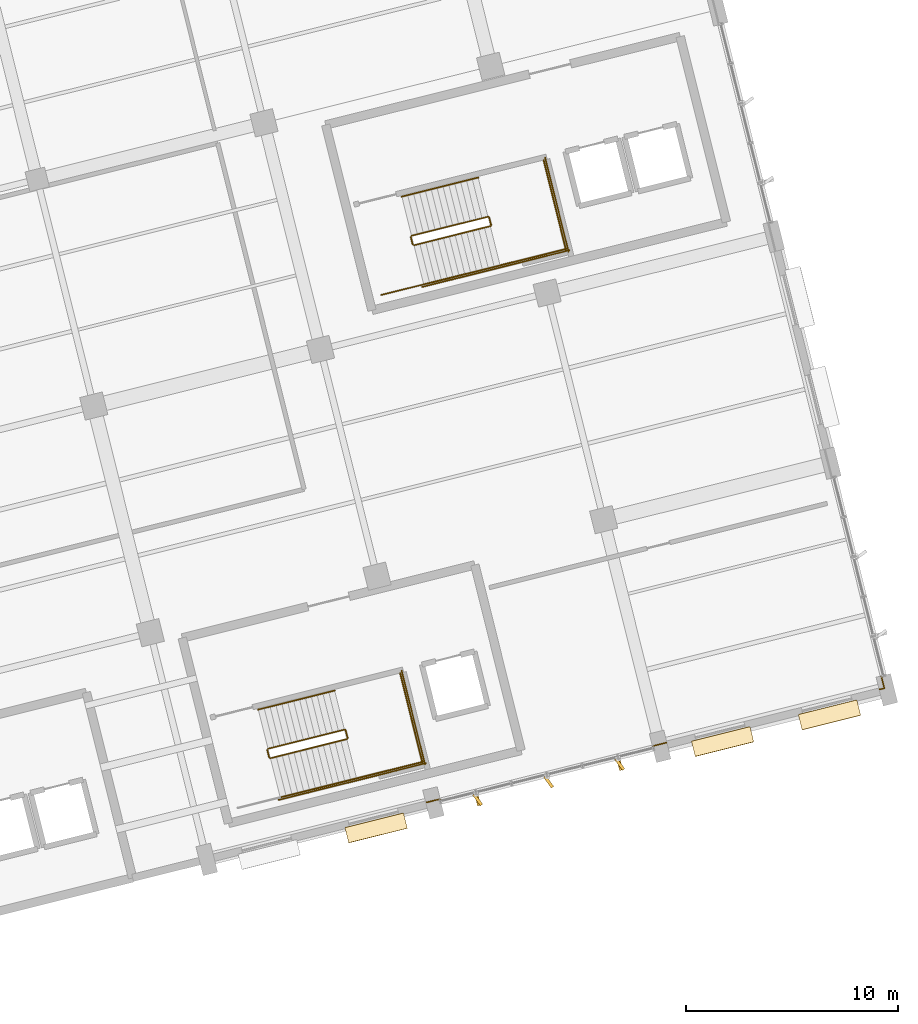
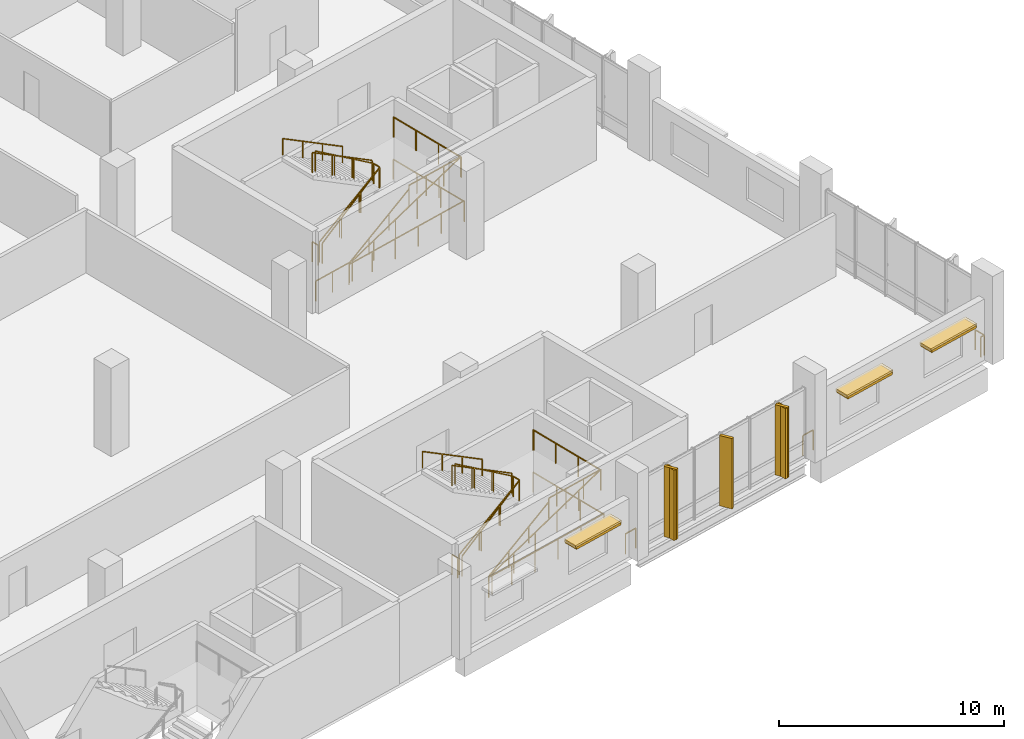
# One storey, part 134 of 137: 28 railings, 6 shading devices, 5 coverings.
"""IFC4 building model written with IfcOpenShell, lengths in metres."""

import ifcopenshell
import ifcopenshell.guid

model = None  # the IFC model being written
_history = None  # IfcOwnerHistory: only IFC2X3 demands one
_inside = {}  # id of a spatial element -> (the spatial element, [elements in it])
_under = {}  # id of a project, library or spatial element -> (it, [spatial elements below it])
_declared = {}  # id of a project -> (the project, [libraries it declares])
_typed = {}  # id of a type object -> (the type object, [elements of that type])
_made_of = {}  # id of a material, layer set ... -> (it, [elements and type objects made of it])


def new_model(schema):
    """Start an empty IFC model of exactly this schema.

    Asked for "IFC4X3", IfcOpenShell would pick the latest addendum, in which some entities
    have other attributes; the version numbers below select the first issue.
    IFC2X3 requires an IfcOwnerHistory on every rooted entity: one is made here for all.
    """
    global model, _history
    if schema == "IFC4X3":
        model = ifcopenshell.file(schema_version=(4, 3, 0, 0))
    else:
        model = ifcopenshell.file(schema=schema)
    _inside.clear()
    _under.clear()
    _declared.clear()
    _typed.clear()
    _made_of.clear()
    _history = None
    if model.schema == "IFC2X3":
        org = make("IfcOrganization", Name="unknown")
        user = make(
            "IfcPersonAndOrganization",
            ThePerson=make("IfcPerson", FamilyName="unknown"),
            TheOrganization=org,
        )
        app = make(
            "IfcApplication",
            ApplicationDeveloper=org,
            Version="unknown",
            ApplicationFullName="unknown",
            ApplicationIdentifier="unknown",
        )
        _history = make(
            "IfcOwnerHistory",
            OwningUser=user,
            OwningApplication=app,
            ChangeAction="ADDED",
            CreationDate=0,
        )
    return model


def make(cls, **values):
    """One entity of the class cls with the attributes given. An attribute that is None is left unset."""
    return model.create_entity(
        cls, **{name: value for name, value in values.items() if value is not None}
    )


def rooted(cls, **values):
    """An entity with a GlobalId (a new one), such as an element, a storey or a relation."""
    return make(cls, GlobalId=ifcopenshell.guid.new(), OwnerHistory=_history, **values)


def si_unit(unit_type, name, prefix=None):
    """IfcSIUnit, for example si_unit("LENGTHUNIT", "METRE", prefix="MILLI")."""
    return make("IfcSIUnit", UnitType=unit_type, Prefix=prefix, Name=name)


def assignment(units):
    """IfcUnitAssignment: the units of a project."""
    return None if units is None else make("IfcUnitAssignment", Units=units)


def point(xyz):
    """IfcCartesianPoint."""
    return None if xyz is None else make("IfcCartesianPoint", Coordinates=xyz)


def direction(xyz):
    """IfcDirection."""
    return None if xyz is None else make("IfcDirection", DirectionRatios=xyz)


def frame(location, z_axis=None, x_axis=None):
    """IfcAxis2Placement3D, a coordinate frame: its origin and axes. An axis left out is left unset."""
    return make(
        "IfcAxis2Placement3D",
        Location=point(location),
        Axis=direction(z_axis),
        RefDirection=direction(x_axis),
    )


def frame_2d(location, x_axis=None):
    """IfcAxis2Placement2D, a coordinate frame in the plane: its origin and x axis."""
    return make(
        "IfcAxis2Placement2D", Location=point(location), RefDirection=direction(x_axis)
    )


def origin():
    """The frame at (0, 0, 0) with its axes left unset."""
    return frame((0.0, 0.0, 0.0))


def origin_2d():
    """The frame at (0, 0) in the plane with its x axis left unset."""
    return frame_2d((0.0, 0.0))


def place(relative_to, where):
    """IfcLocalPlacement: puts the frame where relative to a parent placement (None: the world)."""
    return make(
        "IfcLocalPlacement", PlacementRelTo=relative_to, RelativePlacement=where
    )


def context(
    kind, dimensions, precision=None, world=None, true_north=None, identifier=None
):
    """IfcGeometricRepresentationContext, for example the 3D "Model" context."""
    return make(
        "IfcGeometricRepresentationContext",
        ContextIdentifier=identifier,
        ContextType=kind,
        CoordinateSpaceDimension=dimensions,
        Precision=precision,
        WorldCoordinateSystem=world,
        TrueNorth=true_north,
    )


def subcontext(parent, identifier, kind, view, scale=None):
    """IfcGeometricRepresentationSubContext, for example "Body" below "Model"."""
    return make(
        "IfcGeometricRepresentationSubContext",
        ContextIdentifier=identifier,
        ContextType=kind,
        ParentContext=parent,
        TargetScale=scale,
        TargetView=view,
    )


def project(units=None, contexts=None):
    """IfcProject with its units and contexts."""
    return rooted(
        "IfcProject",
        Name="project",
        RepresentationContexts=contexts,
        UnitsInContext=assignment(units),
    )


def spatial(cls, under=None, at=None, **own):
    """A site, building, storey or space (cls), placed at a placement, below another one or the project."""
    s = rooted(cls, ObjectPlacement=at, **own)
    if under is not None:
        _under.setdefault(under.id(), (under, []))[1].append(s)
    return s


def profile(cls, at=None, kind="AREA", **sizes):
    """A parametric profile (cls). Its sizes go by their IFC names, for example OverallWidth=200.0."""
    return make(cls, ProfileType=kind, Position=at, **sizes)


def rectangle(**sizes):
    """IfcRectangleProfileDef."""
    return profile("IfcRectangleProfileDef", **sizes)


def extrude(swept, where, along, depth):
    """IfcExtrudedAreaSolid: the profile swept, set in the frame where, extruded along a direction by depth."""
    return make(
        "IfcExtrudedAreaSolid",
        SweptArea=swept,
        Position=where,
        ExtrudedDirection=direction(along),
        Depth=depth,
    )


def shape(context_of_items, identifier, shape_type, items):
    """IfcShapeRepresentation: the items that make up one representation, for example the "Body"."""
    return make(
        "IfcShapeRepresentation",
        ContextOfItems=context_of_items,
        RepresentationIdentifier=identifier,
        RepresentationType=shape_type,
        Items=items,
    )


def material(Name=None, Category=None):
    """IfcMaterial."""
    return make("IfcMaterial", Name=Name, Category=Category)


def layer(
    of_material, thickness, ventilated=None, Name=None, Category=None, Priority=None
):
    """IfcMaterialLayer: one layer of a wall or slab, of a material (None: an air gap)."""
    return make(
        "IfcMaterialLayer",
        Material=of_material,
        LayerThickness=thickness,
        IsVentilated=ventilated,
        Name=Name,
        Category=Category,
        Priority=Priority,
    )


def layer_set(layers, Name=None):
    """IfcMaterialLayerSet."""
    return make("IfcMaterialLayerSet", MaterialLayers=layers, LayerSetName=Name)


def made_of(thing, what):
    """Note that an element or type object is made of a material, layer set ...; save() writes the relation."""
    if what is not None:
        _made_of.setdefault(what.id(), (what, []))[1].append(thing)
    return thing


def type_object(cls, material=None, **own):
    """A type object (cls), such as IfcWallType, which elements share."""
    return made_of(rooted(cls, **own), material)


def element(
    cls,
    number,
    at=None,
    inside=None,
    cuts=None,
    type_object=None,
    material=None,
    context=None,
    identifier="Body",
    shape_type=None,
    held_by="IfcProductDefinitionShape",
    body=None,
    shapes=None,
    **own,
):
    """One element of the class cls, such as IfcWall. Its Tag is "e" and its number.

    at: its placement. inside: the storey or other place that contains it. cuts: it is an
    opening in that element (IfcRelVoidsElement). A single representation is given by context,
    identifier, shape_type and body (its items); several are given by shapes. held_by: the class
    of the entity that holds the representations. save() writes the other relations.
    """
    e = rooted(cls, Tag="e%d" % number, ObjectPlacement=at, **own)
    if body is not None:
        shapes = [shape(context, identifier, shape_type, body)]
    if shapes is not None:
        e.Representation = make(held_by, Representations=shapes)
    if inside is not None:
        _inside.setdefault(inside.id(), (inside, []))[1].append(e)
    if cuts is not None:
        rooted(
            "IfcRelVoidsElement", RelatingBuildingElement=cuts, RelatedOpeningElement=e
        )
    if type_object is not None:
        _typed.setdefault(type_object.id(), (type_object, []))[1].append(e)
    return made_of(e, material)


def aggregate(whole, parts):
    """IfcRelAggregates: a whole, such as a stair, and the parts it consists of."""
    return rooted("IfcRelAggregates", RelatingObject=whole, RelatedObjects=parts)


def save(model, path):
    """Write the relations noted so far, then the file.

    IfcRelAggregates (storeys below a building ...), IfcRelContainedInSpatialStructure (elements
    in a storey), IfcRelDefinesByType, IfcRelAssociatesMaterial and IfcRelDeclares: one each for
    every whole, place, type object, material and project.
    """
    for whole, parts in _under.values():
        aggregate(whole, parts)
    for where, things in _inside.values():
        rooted(
            "IfcRelContainedInSpatialStructure",
            RelatedElements=things,
            RelatingStructure=where,
        )
    for kind, things in _typed.values():
        rooted("IfcRelDefinesByType", RelatedObjects=things, RelatingType=kind)
    for what, things in _made_of.values():
        rooted("IfcRelAssociatesMaterial", RelatedObjects=things, RelatingMaterial=what)
    for by, libraries in _declared.values():
        rooted("IfcRelDeclares", RelatingContext=by, RelatedDefinitions=libraries)
    model.write(path)


model = new_model("IFC4")

# Units and contexts
model_context = context("Model", 3, precision=1e-05, world=origin(), true_north=direction((0.0, 1.0)))
body_context = subcontext(model_context, "Body", "Model", "MODEL_VIEW")
ifc_project = project(units=[si_unit("LENGTHUNIT", "METRE"), si_unit("AREAUNIT", "SQUARE_METRE"), si_unit("VOLUMEUNIT", "CUBIC_METRE"), si_unit("PLANEANGLEUNIT", "RADIAN"), si_unit("MASSUNIT", "GRAM", prefix="KILO")], contexts=[model_context])

# Site, building, storey
site_placement = place(None, origin())
site = spatial("IfcSite", under=ifc_project, at=site_placement, CompositionType="ELEMENT")
building_placement = place(site_placement, origin())
building = spatial("IfcBuilding", under=site, at=building_placement, Name="Khorjan Park Terminus", CompositionType="ELEMENT")
storey_placement = place(building_placement, frame((0.0, 0.0, 11.4)))
storey = spatial("IfcBuildingStorey", under=building, at=storey_placement, Name="L02", CompositionType="ELEMENT", Elevation=11.4)

# Coverings
ifc_material_1 = material(Name="Pigmented Precast GRC", Category="concrete")
ifc_layer_1 = layer(ifc_material_1, 0.16)
ifc_layer_set_1 = layer_set([ifc_layer_1], Name="Pigmented Precast GRC")
covering_type_1 = type_object("IfcCoveringType", Name="CV-FIN-GRC", PredefinedType="CLADDING", material=ifc_layer_set_1)
for number, where, z_axis, x_axis, name in (
    (1, (210.7713, 12.7969, -0.02), (0.0, 0.0, 1.0), (-0.2419218956, 0.970295726276, 0.0), "Projecting desert-sandstone GRC facade fin CL-FN1 (CW-V5-S-L02-B05-1)"),
    (2, (217.4597, 14.4644, -0.02), (0.0, 0.0, 1.0), (-0.2419218956, 0.970295726276, 0.0), "Projecting desert-sandstone GRC facade fin CL-FN1 (CW-V5-S-L02-B05-5)"),
):
    element("IfcCovering", number, at=place(storey_placement, frame(where, z_axis=z_axis, x_axis=x_axis)), inside=storey, type_object=covering_type_1, Name=name, PredefinedType="CLADDING", context=body_context, shape_type="SweptSolid", body=[
        extrude(rectangle(XDim=0.58, YDim=0.16, at=origin_2d()), origin(), (0.0, 0.0, 1.0), 3.825),
    ])
ifc_layer_2 = layer(ifc_material_1, 0.18)
ifc_layer_set_2 = layer_set([ifc_layer_2], Name="Pigmented Precast GRC")
covering_type_2 = type_object("IfcCoveringType", Name="CV-HOOD-GRC", PredefinedType="CLADDING", material=ifc_layer_set_2)
for number, where, z_axis, x_axis, name in (
    (3, (205.9905, 11.4658, 2.73), (0.0, 0.0, 1.0), (0.970293766672, 0.241929755007, 0.0), "Projecting desert-sandstone GRC window eyebrow CL-HD1 (EW-V5-S-L02-B04-2)"),
    (4, (222.3059, 15.5337, 2.73), (0.0, 0.0, 1.0), (0.970298281519, 0.241911646849, 0.0), "Projecting desert-sandstone GRC window eyebrow CL-HD1 (EW-V5-S-L02-B06-1)"),
    (5, (227.3372, 16.788, 2.73), (0.0, 0.0, 1.0), (0.970298281519, 0.241911646849, 0.0), "Projecting desert-sandstone GRC window eyebrow CL-HD1 (EW-V5-S-L02-B06-2)"),
):
    element("IfcCovering", number, at=place(storey_placement, frame(where, z_axis=z_axis, x_axis=x_axis)), inside=storey, type_object=covering_type_2, Name=name, PredefinedType="CLADDING", context=body_context, shape_type="SweptSolid", body=[
        extrude(rectangle(XDim=2.84, YDim=0.74, at=origin_2d()), origin(), (0.0, 0.0, 1.0), 0.16),
    ])

# Railings
ifc_material_2 = material(Name="Steel S355", Category="steel")
railing_type_1 = type_object("IfcRailingType", Name="GR-112", PredefinedType="GUARDRAIL", material=ifc_material_2)
railing_1_placement = place(storey_placement, frame((207.7735, 38.902, 0.1714)))
element("IfcRailing", 6, at=railing_1_placement, inside=storey, type_object=railing_type_1, Name="L02 ST-04 stair guard 1", PredefinedType="GUARDRAIL", context=body_context, shape_type="SweptSolid", body=[
    extrude(rectangle(XDim=0.048, YDim=0.048, at=origin_2d()), frame((0.0, 0.0, 1.096), z_axis=(0.831460339985, 0.207327338386, 0.515450364041), x_axis=(-0.241944959275, 0.970289975565, 0.0)), (0.0, 0.0, 1.0), 4.3236),
    extrude(rectangle(XDim=0.042, YDim=0.042, at=origin_2d()), origin(), (0.0, 0.0, 1.0), 1.072),
    extrude(rectangle(XDim=0.042, YDim=0.042, at=origin_2d()), frame((1.1983, 0.2988, 0.7429)), (0.0, 0.0, 1.0), 1.072),
    extrude(rectangle(XDim=0.042, YDim=0.042, at=origin_2d()), frame((2.3966, 0.5976, 1.4857)), (0.0, 0.0, 1.0), 1.072),
    extrude(rectangle(XDim=0.042, YDim=0.042, at=origin_2d()), frame((3.5949, 0.8964, 2.2286)), (0.0, 0.0, 1.0), 1.072),
])
railing_2_placement = place(storey_placement, frame((211.4048, 39.859, 2.4)))
element("IfcRailing", 7, at=railing_2_placement, inside=storey, type_object=railing_type_1, Name="L02 ST-04 stair guard 2", PredefinedType="GUARDRAIL", context=body_context, shape_type="SweptSolid", body=[
    extrude(rectangle(XDim=0.048, YDim=0.048, at=origin_2d()), frame((0.0, 0.0, 1.096), z_axis=(-0.241947338122, 0.970289382388, 0.0), x_axis=(-0.970289382388, -0.241947338122, 0.0)), (0.0, 0.0, 1.0), 0.36),
    extrude(rectangle(XDim=0.042, YDim=0.042, at=origin_2d()), origin(), (0.0, 0.0, 1.0), 1.072),
    extrude(rectangle(XDim=0.042, YDim=0.042, at=origin_2d()), frame((-0.0871, 0.3493, 0.0)), (0.0, 0.0, 1.0), 1.072),
])
railing_3_placement = place(storey_placement, frame((211.8281, 37.9548, 2.4)))
element("IfcRailing", 8, at=railing_3_placement, inside=storey, type_object=railing_type_1, Name="L02 ST-04 stair guard 3", PredefinedType="GUARDRAIL", context=body_context, shape_type="SweptSolid", body=[
    extrude(rectangle(XDim=0.048, YDim=0.048, at=origin_2d()), frame((0.0, 0.0, 1.096), z_axis=(0.970296863168, 0.241917335728, 0.0), x_axis=(-0.241917335728, 0.970296863168, 0.0)), (0.0, 0.0, 1.0), 3.235),
    extrude(rectangle(XDim=0.042, YDim=0.042, at=origin_2d()), origin(), (0.0, 0.0, 1.0), 1.072),
    extrude(rectangle(XDim=0.042, YDim=0.042, at=origin_2d()), frame((1.0463, 0.2609, 0.0)), (0.0, 0.0, 1.0), 1.072),
    extrude(rectangle(XDim=0.042, YDim=0.042, at=origin_2d()), frame((2.0926, 0.5217, 0.0)), (0.0, 0.0, 1.0), 1.072),
    extrude(rectangle(XDim=0.042, YDim=0.042, at=origin_2d()), frame((3.1389, 0.7826, 0.0)), (0.0, 0.0, 1.0), 1.072),
])
railing_4_placement = place(storey_placement, frame((214.9305, 38.6768, 2.4)))
element("IfcRailing", 9, at=railing_4_placement, inside=storey, type_object=railing_type_1, Name="L02 ST-04 stair guard 4", PredefinedType="GUARDRAIL", context=body_context, shape_type="SweptSolid", body=[
    extrude(rectangle(XDim=0.048, YDim=0.048, at=origin_2d()), frame((0.0, 0.0, 1.096), z_axis=(-0.241904163851, 0.970300147125, 0.0), x_axis=(-0.970300147125, -0.241904163851, 0.0)), (0.0, 0.0, 1.0), 4.36),
    extrude(rectangle(XDim=0.042, YDim=0.042, at=origin_2d()), origin(), (0.0, 0.0, 1.0), 1.072),
    extrude(rectangle(XDim=0.042, YDim=0.042, at=origin_2d()), frame((-0.3516, 1.4102, 0.0)), (0.0, 0.0, 1.0), 1.072),
    extrude(rectangle(XDim=0.042, YDim=0.042, at=origin_2d()), frame((-0.7031, 2.8203, 0.0)), (0.0, 0.0, 1.0), 1.072),
    extrude(rectangle(XDim=0.042, YDim=0.042, at=origin_2d()), frame((-1.0547, 4.2305, 0.0)), (0.0, 0.0, 1.0), 1.072),
])
railing_5_placement = place(storey_placement, frame((211.2571, 40.2447, 2.5714)))
element("IfcRailing", 10, at=railing_5_placement, inside=storey, type_object=railing_type_1, Name="L02 ST-04 stair guard 5", PredefinedType="GUARDRAIL", context=body_context, shape_type="SweptSolid", body=[
    extrude(rectangle(XDim=0.048, YDim=0.048, at=origin_2d()), frame((0.0, 0.0, 1.096), z_axis=(-0.831464326852, -0.207305203526, 0.515452835634), x_axis=(0.241919548256, -0.970296311531, 0.0)), (0.0, 0.0, 1.0), 4.3236),
    extrude(rectangle(XDim=0.042, YDim=0.042, at=origin_2d()), origin(), (0.0, 0.0, 1.0), 1.072),
    extrude(rectangle(XDim=0.042, YDim=0.042, at=origin_2d()), frame((-1.1983, -0.2988, 0.7429)), (0.0, 0.0, 1.0), 1.072),
    extrude(rectangle(XDim=0.042, YDim=0.042, at=origin_2d()), frame((-2.3966, -0.5975, 1.4857)), (0.0, 0.0, 1.0), 1.072),
    extrude(rectangle(XDim=0.042, YDim=0.042, at=origin_2d()), frame((-3.5949, -0.8963, 2.2286)), (0.0, 0.0, 1.0), 1.072),
])
railing_6_placement = place(storey_placement, frame((207.7129, 38.9385, 0.0)))
element("IfcRailing", 11, at=railing_6_placement, inside=storey, type_object=railing_type_1, Name="L02 ST-04 stair guard 6", PredefinedType="GUARDRAIL", context=body_context, shape_type="SweptSolid", body=[
    extrude(rectangle(XDim=0.048, YDim=0.048, at=origin_2d()), frame((0.0, 0.0, 1.096), z_axis=(-0.241947338122, 0.970289382388, 0.0), x_axis=(-0.970289382388, -0.241947338122, 0.0)), (0.0, 0.0, 1.0), 0.36),
    extrude(rectangle(XDim=0.042, YDim=0.042, at=origin_2d()), origin(), (0.0, 0.0, 1.0), 1.072),
    extrude(rectangle(XDim=0.042, YDim=0.042, at=origin_2d()), frame((-0.0871, 0.3493, 0.0)), (0.0, 0.0, 1.0), 1.072),
])
railing_7_placement = place(storey_placement, frame((206.2343, 36.5601, 0.0)))
element("IfcRailing", 12, at=railing_7_placement, inside=storey, type_object=railing_type_1, Name="L02 ST-04 stair guard 7", PredefinedType="GUARDRAIL", context=body_context, shape_type="SweptSolid", body=[
    extrude(rectangle(XDim=0.048, YDim=0.048, at=origin_2d()), frame((0.0, 0.0, 1.096), z_axis=(0.97029080484, 0.241941633546, 0.0), x_axis=(-0.241941633546, 0.97029080484, 0.0)), (0.0, 0.0, 1.0), 2.06),
    extrude(rectangle(XDim=0.042, YDim=0.042, at=origin_2d()), origin(), (0.0, 0.0, 1.0), 1.072),
    extrude(rectangle(XDim=0.042, YDim=0.042, at=origin_2d()), frame((0.9994, 0.2492, 0.0)), (0.0, 0.0, 1.0), 1.072),
    extrude(rectangle(XDim=0.042, YDim=0.042, at=origin_2d()), frame((1.9988, 0.4984, 0.0)), (0.0, 0.0, 1.0), 1.072),
])
railing_8_placement = place(storey_placement, frame((208.1603, 36.9373, 0.0)))
element("IfcRailing", 13, at=railing_8_placement, inside=storey, type_object=railing_type_1, Name="L02 ST-04 stair guard 8", PredefinedType="GUARDRAIL", context=body_context, shape_type="SweptSolid", body=[
    extrude(rectangle(XDim=0.048, YDim=0.048, at=origin_2d()), frame((0.0, 0.0, 1.096), z_axis=(0.970296366402, 0.241919328178, 0.0), x_axis=(-0.241919328178, 0.970296366402, 0.0)), (0.0, 0.0, 1.0), 7.14),
    extrude(rectangle(XDim=0.042, YDim=0.042, at=origin_2d()), origin(), (0.0, 0.0, 1.0), 1.072),
    extrude(rectangle(XDim=0.042, YDim=0.042, at=origin_2d()), frame((1.3856, 0.3455, 0.0)), (0.0, 0.0, 1.0), 1.072),
    extrude(rectangle(XDim=0.042, YDim=0.042, at=origin_2d()), frame((2.7712, 0.6909, 0.0)), (0.0, 0.0, 1.0), 1.072),
    extrude(rectangle(XDim=0.042, YDim=0.042, at=origin_2d()), frame((4.1567, 1.0364, 0.0)), (0.0, 0.0, 1.0), 1.072),
    extrude(rectangle(XDim=0.042, YDim=0.042, at=origin_2d()), frame((5.5423, 1.3818, 0.0)), (0.0, 0.0, 1.0), 1.072),
    extrude(rectangle(XDim=0.042, YDim=0.042, at=origin_2d()), frame((6.9279, 1.7273, 0.0)), (0.0, 0.0, 1.0), 1.072),
])
railing_9_placement = place(storey_placement, frame((215.0518, 38.604, 0.0)))
element("IfcRailing", 14, at=railing_9_placement, inside=storey, type_object=railing_type_1, Name="L02 ST-04 stair guard 9", PredefinedType="GUARDRAIL", context=body_context, shape_type="SweptSolid", body=[
    extrude(rectangle(XDim=0.048, YDim=0.048, at=origin_2d()), frame((0.0, 0.0, 1.096), z_axis=(-0.24193185783, 0.970293242359, 0.0), x_axis=(-0.970293242359, -0.24193185783, 0.0)), (0.0, 0.0, 1.0), 4.56),
    extrude(rectangle(XDim=0.042, YDim=0.042, at=origin_2d()), origin(), (0.0, 0.0, 1.0), 1.072),
    extrude(rectangle(XDim=0.042, YDim=0.042, at=origin_2d()), frame((-0.3677, 1.4748, 0.0)), (0.0, 0.0, 1.0), 1.072),
    extrude(rectangle(XDim=0.042, YDim=0.042, at=origin_2d()), frame((-0.7355, 2.9497, 0.0)), (0.0, 0.0, 1.0), 1.072),
    extrude(rectangle(XDim=0.042, YDim=0.042, at=origin_2d()), frame((-1.1032, 4.4245, 0.0)), (0.0, 0.0, 1.0), 1.072),
])
railing_10_placement = place(storey_placement, frame((207.9457, 38.9553, 0.0)))
element("IfcRailing", 15, at=railing_10_placement, inside=storey, type_object=railing_type_1, Name="Core K4 stair well slot guard GR-112 (L02)", PredefinedType="GUARDRAIL", context=body_context, shape_type="SweptSolid", body=[
    extrude(rectangle(XDim=0.048, YDim=0.048, at=origin_2d()), frame((0.0, 0.0, 1.096), z_axis=(0.804896749793, 0.200671549542, 0.558455147149), x_axis=(-0.241908560486, 0.970299050996, 0.0)), (0.0, 0.0, 1.0), 4.2976),
    extrude(rectangle(XDim=0.048, YDim=0.048, at=origin_2d()), frame((3.4591, 0.8624, 3.496), z_axis=(-0.241786986316, 0.970329352977, 0.0), x_axis=(-0.970329352977, -0.241786986316, 0.0)), (0.0, 0.0, 1.0), 0.4401),
    extrude(rectangle(XDim=0.048, YDim=0.048, at=origin_2d()), frame((3.3527, 1.2894, 3.496), z_axis=(-0.804901185035, -0.200690122598, 0.558442080274), x_axis=(0.241928384724, -0.970294108333, 0.0)), (0.0, 0.0, 1.0), 4.2977),
    extrude(rectangle(XDim=0.042, YDim=0.042, at=origin_2d()), origin(), (0.0, 0.0, 1.0), 1.072),
    extrude(rectangle(XDim=0.042, YDim=0.042, at=origin_2d()), frame((1.153, 0.2875, 0.8)), (0.0, 0.0, 1.0), 1.072),
    extrude(rectangle(XDim=0.042, YDim=0.042, at=origin_2d()), frame((2.3061, 0.5749, 1.6)), (0.0, 0.0, 1.0), 1.072),
    extrude(rectangle(XDim=0.042, YDim=0.042, at=origin_2d()), frame((3.4591, 0.8624, 2.4)), (0.0, 0.0, 1.0), 1.072),
    extrude(rectangle(XDim=0.042, YDim=0.042, at=origin_2d()), frame((3.3527, 1.2894, 2.4)), (0.0, 0.0, 1.0), 1.072),
    extrude(rectangle(XDim=0.042, YDim=0.042, at=origin_2d()), frame((2.1996, 1.0019, 3.2)), (0.0, 0.0, 1.0), 1.072),
    extrude(rectangle(XDim=0.042, YDim=0.042, at=origin_2d()), frame((1.0466, 0.7144, 4.0)), (0.0, 0.0, 1.0), 1.072),
    extrude(rectangle(XDim=0.042, YDim=0.042, at=origin_2d()), frame((-0.1065, 0.4269, 4.8)), (0.0, 0.0, 1.0), 1.072),
])
railing_11_placement = place(storey_placement, frame((208.4102, 37.0923, 0.0)))
element("IfcRailing", 16, at=railing_11_placement, inside=storey, type_object=railing_type_1, Name="Core K4 stair side & landing guard GR-112 (L02)", PredefinedType="GUARDRAIL", context=body_context, shape_type="SweptSolid", body=[
    extrude(rectangle(XDim=0.048, YDim=0.048, at=origin_2d()), frame((0.0, 0.0, 1.096), z_axis=(0.913768887893, 0.227825605952, 0.336336011739), x_axis=(-0.241919330403, 0.970296365848, 0.0)), (0.0, 0.0, 1.0), 7.1357),
    extrude(rectangle(XDim=0.048, YDim=0.048, at=origin_2d()), frame((6.5204, 1.6257, 3.496), z_axis=(-0.2419363556, 0.970292120879, 0.0), x_axis=(-0.970292120879, -0.2419363556, 0.0)), (0.0, 0.0, 1.0), 4.2801),
    extrude(rectangle(XDim=0.042, YDim=0.042, at=origin_2d()), origin(), (0.0, 0.0, 1.0), 1.072),
    extrude(rectangle(XDim=0.042, YDim=0.042, at=origin_2d()), frame((1.3041, 0.3251, 0.48)), (0.0, 0.0, 1.0), 1.072),
    extrude(rectangle(XDim=0.042, YDim=0.042, at=origin_2d()), frame((2.6082, 0.6503, 0.96)), (0.0, 0.0, 1.0), 1.072),
    extrude(rectangle(XDim=0.042, YDim=0.042, at=origin_2d()), frame((3.9122, 0.9754, 1.44)), (0.0, 0.0, 1.0), 1.072),
    extrude(rectangle(XDim=0.042, YDim=0.042, at=origin_2d()), frame((5.2163, 1.3006, 1.92)), (0.0, 0.0, 1.0), 1.072),
    extrude(rectangle(XDim=0.042, YDim=0.042, at=origin_2d()), frame((6.5204, 1.6257, 2.4)), (0.0, 0.0, 1.0), 1.072),
    extrude(rectangle(XDim=0.042, YDim=0.042, at=origin_2d()), frame((6.1752, 3.01, 2.4)), (0.0, 0.0, 1.0), 1.072),
    extrude(rectangle(XDim=0.042, YDim=0.042, at=origin_2d()), frame((5.8301, 4.3943, 2.4)), (0.0, 0.0, 1.0), 1.072),
    extrude(rectangle(XDim=0.042, YDim=0.042, at=origin_2d()), frame((5.4849, 5.7786, 2.4)), (0.0, 0.0, 1.0), 1.072),
])
railing_12_placement = place(storey_placement, frame((201.0157, 14.7497, 0.1714)))
element("IfcRailing", 17, at=railing_12_placement, inside=storey, type_object=railing_type_1, Name="L02 ST-05 stair guard 1", PredefinedType="GUARDRAIL", context=body_context, shape_type="SweptSolid", body=[
    extrude(rectangle(XDim=0.048, YDim=0.048, at=origin_2d()), frame((0.0, 0.0, 1.096), z_axis=(0.831460339985, 0.207327338386, 0.515450364041), x_axis=(-0.241944959275, 0.970289975565, 0.0)), (0.0, 0.0, 1.0), 4.3236),
    extrude(rectangle(XDim=0.042, YDim=0.042, at=origin_2d()), origin(), (0.0, 0.0, 1.0), 1.072),
    extrude(rectangle(XDim=0.042, YDim=0.042, at=origin_2d()), frame((1.1983, 0.2988, 0.7429)), (0.0, 0.0, 1.0), 1.072),
    extrude(rectangle(XDim=0.042, YDim=0.042, at=origin_2d()), frame((2.3966, 0.5976, 1.4857)), (0.0, 0.0, 1.0), 1.072),
    extrude(rectangle(XDim=0.042, YDim=0.042, at=origin_2d()), frame((3.5949, 0.8964, 2.2286)), (0.0, 0.0, 1.0), 1.072),
])
railing_13_placement = place(storey_placement, frame((204.647, 15.7067, 2.4)))
element("IfcRailing", 18, at=railing_13_placement, inside=storey, type_object=railing_type_1, Name="L02 ST-05 stair guard 2", PredefinedType="GUARDRAIL", context=body_context, shape_type="SweptSolid", body=[
    extrude(rectangle(XDim=0.048, YDim=0.048, at=origin_2d()), frame((0.0, 0.0, 1.096), z_axis=(-0.241947338122, 0.970289382388, 0.0), x_axis=(-0.970289382388, -0.241947338122, 0.0)), (0.0, 0.0, 1.0), 0.36),
    extrude(rectangle(XDim=0.042, YDim=0.042, at=origin_2d()), origin(), (0.0, 0.0, 1.0), 1.072),
    extrude(rectangle(XDim=0.042, YDim=0.042, at=origin_2d()), frame((-0.0871, 0.3493, 0.0)), (0.0, 0.0, 1.0), 1.072),
])
railing_14_placement = place(storey_placement, frame((205.0703, 13.8025, 2.4)))
element("IfcRailing", 19, at=railing_14_placement, inside=storey, type_object=railing_type_1, Name="L02 ST-05 stair guard 3", PredefinedType="GUARDRAIL", context=body_context, shape_type="SweptSolid", body=[
    extrude(rectangle(XDim=0.048, YDim=0.048, at=origin_2d()), frame((0.0, 0.0, 1.096), z_axis=(0.970296863168, 0.241917335728, 0.0), x_axis=(-0.241917335728, 0.970296863168, 0.0)), (0.0, 0.0, 1.0), 3.235),
    extrude(rectangle(XDim=0.042, YDim=0.042, at=origin_2d()), origin(), (0.0, 0.0, 1.0), 1.072),
    extrude(rectangle(XDim=0.042, YDim=0.042, at=origin_2d()), frame((1.0463, 0.2609, 0.0)), (0.0, 0.0, 1.0), 1.072),
    extrude(rectangle(XDim=0.042, YDim=0.042, at=origin_2d()), frame((2.0926, 0.5217, 0.0)), (0.0, 0.0, 1.0), 1.072),
    extrude(rectangle(XDim=0.042, YDim=0.042, at=origin_2d()), frame((3.1389, 0.7826, 0.0)), (0.0, 0.0, 1.0), 1.072),
])
railing_15_placement = place(storey_placement, frame((208.1727, 14.5245, 2.4)))
element("IfcRailing", 20, at=railing_15_placement, inside=storey, type_object=railing_type_1, Name="L02 ST-05 stair guard 4", PredefinedType="GUARDRAIL", context=body_context, shape_type="SweptSolid", body=[
    extrude(rectangle(XDim=0.048, YDim=0.048, at=origin_2d()), frame((0.0, 0.0, 1.096), z_axis=(-0.241904163851, 0.970300147125, 0.0), x_axis=(-0.970300147125, -0.241904163851, 0.0)), (0.0, 0.0, 1.0), 4.36),
    extrude(rectangle(XDim=0.042, YDim=0.042, at=origin_2d()), origin(), (0.0, 0.0, 1.0), 1.072),
    extrude(rectangle(XDim=0.042, YDim=0.042, at=origin_2d()), frame((-0.3516, 1.4102, 0.0)), (0.0, 0.0, 1.0), 1.072),
    extrude(rectangle(XDim=0.042, YDim=0.042, at=origin_2d()), frame((-0.7031, 2.8203, 0.0)), (0.0, 0.0, 1.0), 1.072),
    extrude(rectangle(XDim=0.042, YDim=0.042, at=origin_2d()), frame((-1.0547, 4.2305, 0.0)), (0.0, 0.0, 1.0), 1.072),
])
railing_16_placement = place(storey_placement, frame((204.4993, 16.0924, 2.5714)))
element("IfcRailing", 21, at=railing_16_placement, inside=storey, type_object=railing_type_1, Name="L02 ST-05 stair guard 5", PredefinedType="GUARDRAIL", context=body_context, shape_type="SweptSolid", body=[
    extrude(rectangle(XDim=0.048, YDim=0.048, at=origin_2d()), frame((0.0, 0.0, 1.096), z_axis=(-0.831464326852, -0.207305203526, 0.515452835634), x_axis=(0.241919548256, -0.970296311531, 0.0)), (0.0, 0.0, 1.0), 4.3236),
    extrude(rectangle(XDim=0.042, YDim=0.042, at=origin_2d()), origin(), (0.0, 0.0, 1.0), 1.072),
    extrude(rectangle(XDim=0.042, YDim=0.042, at=origin_2d()), frame((-1.1983, -0.2988, 0.7429)), (0.0, 0.0, 1.0), 1.072),
    extrude(rectangle(XDim=0.042, YDim=0.042, at=origin_2d()), frame((-2.3966, -0.5975, 1.4857)), (0.0, 0.0, 1.0), 1.072),
    extrude(rectangle(XDim=0.042, YDim=0.042, at=origin_2d()), frame((-3.5949, -0.8963, 2.2286)), (0.0, 0.0, 1.0), 1.072),
])
railing_17_placement = place(storey_placement, frame((200.9551, 14.7862, 0.0)))
element("IfcRailing", 22, at=railing_17_placement, inside=storey, type_object=railing_type_1, Name="L02 ST-05 stair guard 6", PredefinedType="GUARDRAIL", context=body_context, shape_type="SweptSolid", body=[
    extrude(rectangle(XDim=0.048, YDim=0.048, at=origin_2d()), frame((0.0, 0.0, 1.096), z_axis=(-0.241947338122, 0.970289382388, 0.0), x_axis=(-0.970289382388, -0.241947338122, 0.0)), (0.0, 0.0, 1.0), 0.36),
    extrude(rectangle(XDim=0.042, YDim=0.042, at=origin_2d()), origin(), (0.0, 0.0, 1.0), 1.072),
    extrude(rectangle(XDim=0.042, YDim=0.042, at=origin_2d()), frame((-0.0871, 0.3493, 0.0)), (0.0, 0.0, 1.0), 1.072),
])
railing_18_placement = place(storey_placement, frame((201.4025, 12.785, 0.0)))
element("IfcRailing", 23, at=railing_18_placement, inside=storey, type_object=railing_type_1, Name="L02 ST-05 stair guard 8", PredefinedType="GUARDRAIL", context=body_context, shape_type="SweptSolid", body=[
    extrude(rectangle(XDim=0.048, YDim=0.048, at=origin_2d()), frame((0.0, 0.0, 1.096), z_axis=(0.970296366402, 0.241919328178, 0.0), x_axis=(-0.241919328178, 0.970296366402, 0.0)), (0.0, 0.0, 1.0), 7.14),
    extrude(rectangle(XDim=0.042, YDim=0.042, at=origin_2d()), origin(), (0.0, 0.0, 1.0), 1.072),
    extrude(rectangle(XDim=0.042, YDim=0.042, at=origin_2d()), frame((1.3856, 0.3455, 0.0)), (0.0, 0.0, 1.0), 1.072),
    extrude(rectangle(XDim=0.042, YDim=0.042, at=origin_2d()), frame((2.7712, 0.6909, 0.0)), (0.0, 0.0, 1.0), 1.072),
    extrude(rectangle(XDim=0.042, YDim=0.042, at=origin_2d()), frame((4.1567, 1.0364, 0.0)), (0.0, 0.0, 1.0), 1.072),
    extrude(rectangle(XDim=0.042, YDim=0.042, at=origin_2d()), frame((5.5423, 1.3818, 0.0)), (0.0, 0.0, 1.0), 1.072),
    extrude(rectangle(XDim=0.042, YDim=0.042, at=origin_2d()), frame((6.9279, 1.7273, 0.0)), (0.0, 0.0, 1.0), 1.072),
])
railing_19_placement = place(storey_placement, frame((208.294, 14.4517, 0.0)))
element("IfcRailing", 24, at=railing_19_placement, inside=storey, type_object=railing_type_1, Name="L02 ST-05 stair guard 9", PredefinedType="GUARDRAIL", context=body_context, shape_type="SweptSolid", body=[
    extrude(rectangle(XDim=0.048, YDim=0.048, at=origin_2d()), frame((0.0, 0.0, 1.096), z_axis=(-0.24193185783, 0.970293242359, 0.0), x_axis=(-0.970293242359, -0.24193185783, 0.0)), (0.0, 0.0, 1.0), 4.56),
    extrude(rectangle(XDim=0.042, YDim=0.042, at=origin_2d()), origin(), (0.0, 0.0, 1.0), 1.072),
    extrude(rectangle(XDim=0.042, YDim=0.042, at=origin_2d()), frame((-0.3677, 1.4748, 0.0)), (0.0, 0.0, 1.0), 1.072),
    extrude(rectangle(XDim=0.042, YDim=0.042, at=origin_2d()), frame((-0.7355, 2.9497, 0.0)), (0.0, 0.0, 1.0), 1.072),
    extrude(rectangle(XDim=0.042, YDim=0.042, at=origin_2d()), frame((-1.1032, 4.4245, 0.0)), (0.0, 0.0, 1.0), 1.072),
])
railing_20_placement = place(storey_placement, frame((201.1879, 14.803, 0.0)))
element("IfcRailing", 25, at=railing_20_placement, inside=storey, type_object=railing_type_1, Name="Core K5 stair well slot guard GR-112 (L02)", PredefinedType="GUARDRAIL", context=body_context, shape_type="SweptSolid", body=[
    extrude(rectangle(XDim=0.048, YDim=0.048, at=origin_2d()), frame((0.0, 0.0, 1.096), z_axis=(0.804896749793, 0.200671549542, 0.558455147149), x_axis=(-0.241908560486, 0.970299050996, 0.0)), (0.0, 0.0, 1.0), 4.2976),
    extrude(rectangle(XDim=0.048, YDim=0.048, at=origin_2d()), frame((3.4591, 0.8624, 3.496), z_axis=(-0.241786986315, 0.970329352977, 0.0), x_axis=(-0.970329352977, -0.241786986315, 0.0)), (0.0, 0.0, 1.0), 0.4401),
    extrude(rectangle(XDim=0.048, YDim=0.048, at=origin_2d()), frame((3.3527, 1.2894, 3.496), z_axis=(-0.804901185035, -0.200690122598, 0.558442080274), x_axis=(0.241928384724, -0.970294108333, 0.0)), (0.0, 0.0, 1.0), 4.2977),
    extrude(rectangle(XDim=0.042, YDim=0.042, at=origin_2d()), origin(), (0.0, 0.0, 1.0), 1.072),
    extrude(rectangle(XDim=0.042, YDim=0.042, at=origin_2d()), frame((1.153, 0.2875, 0.8)), (0.0, 0.0, 1.0), 1.072),
    extrude(rectangle(XDim=0.042, YDim=0.042, at=origin_2d()), frame((2.3061, 0.5749, 1.6)), (0.0, 0.0, 1.0), 1.072),
    extrude(rectangle(XDim=0.042, YDim=0.042, at=origin_2d()), frame((3.4591, 0.8624, 2.4)), (0.0, 0.0, 1.0), 1.072),
    extrude(rectangle(XDim=0.042, YDim=0.042, at=origin_2d()), frame((3.3527, 1.2894, 2.4)), (0.0, 0.0, 1.0), 1.072),
    extrude(rectangle(XDim=0.042, YDim=0.042, at=origin_2d()), frame((2.1996, 1.0019, 3.2)), (0.0, 0.0, 1.0), 1.072),
    extrude(rectangle(XDim=0.042, YDim=0.042, at=origin_2d()), frame((1.0466, 0.7144, 4.0)), (0.0, 0.0, 1.0), 1.072),
    extrude(rectangle(XDim=0.042, YDim=0.042, at=origin_2d()), frame((-0.1065, 0.4269, 4.8)), (0.0, 0.0, 1.0), 1.072),
])
railing_21_placement = place(storey_placement, frame((201.6524, 12.94, 0.0)))
element("IfcRailing", 26, at=railing_21_placement, inside=storey, type_object=railing_type_1, Name="Core K5 stair side & landing guard GR-112 (L02)", PredefinedType="GUARDRAIL", context=body_context, shape_type="SweptSolid", body=[
    extrude(rectangle(XDim=0.048, YDim=0.048, at=origin_2d()), frame((0.0, 0.0, 1.096), z_axis=(0.913768887893, 0.227825605952, 0.336336011739), x_axis=(-0.241919330403, 0.970296365848, 0.0)), (0.0, 0.0, 1.0), 7.1357),
    extrude(rectangle(XDim=0.048, YDim=0.048, at=origin_2d()), frame((6.5204, 1.6257, 3.496), z_axis=(-0.2419363556, 0.970292120879, 0.0), x_axis=(-0.970292120879, -0.2419363556, 0.0)), (0.0, 0.0, 1.0), 4.2801),
    extrude(rectangle(XDim=0.042, YDim=0.042, at=origin_2d()), origin(), (0.0, 0.0, 1.0), 1.072),
    extrude(rectangle(XDim=0.042, YDim=0.042, at=origin_2d()), frame((1.3041, 0.3251, 0.48)), (0.0, 0.0, 1.0), 1.072),
    extrude(rectangle(XDim=0.042, YDim=0.042, at=origin_2d()), frame((2.6082, 0.6503, 0.96)), (0.0, 0.0, 1.0), 1.072),
    extrude(rectangle(XDim=0.042, YDim=0.042, at=origin_2d()), frame((3.9122, 0.9754, 1.44)), (0.0, 0.0, 1.0), 1.072),
    extrude(rectangle(XDim=0.042, YDim=0.042, at=origin_2d()), frame((5.2163, 1.3006, 1.92)), (0.0, 0.0, 1.0), 1.072),
    extrude(rectangle(XDim=0.042, YDim=0.042, at=origin_2d()), frame((6.5204, 1.6257, 2.4)), (0.0, 0.0, 1.0), 1.072),
    extrude(rectangle(XDim=0.042, YDim=0.042, at=origin_2d()), frame((6.1752, 3.01, 2.4)), (0.0, 0.0, 1.0), 1.072),
    extrude(rectangle(XDim=0.042, YDim=0.042, at=origin_2d()), frame((5.8301, 4.3943, 2.4)), (0.0, 0.0, 1.0), 1.072),
    extrude(rectangle(XDim=0.042, YDim=0.042, at=origin_2d()), frame((5.4849, 5.7786, 2.4)), (0.0, 0.0, 1.0), 1.072),
])
railing_22_placement = place(storey_placement, frame((208.9891, 12.8214, 0.0)))
element("IfcRailing", 27, at=railing_22_placement, inside=storey, type_object=railing_type_1, Name="Perimeter safety guard GR-112 (L02-66)", PredefinedType="GUARDRAIL", context=body_context, shape_type="SweptSolid", body=[
    extrude(rectangle(XDim=0.048, YDim=0.048, at=origin_2d()), frame((0.0, 0.0, 1.096), z_axis=(-0.970315518329, -0.241842500175, 0.0), x_axis=(0.241842500175, -0.970315518329, 0.0)), (0.0, 0.0, 1.0), 0.645),
    extrude(rectangle(XDim=0.042, YDim=0.042, at=origin_2d()), origin(), (0.0, 0.0, 1.0), 1.072),
    extrude(rectangle(XDim=0.042, YDim=0.042, at=origin_2d()), frame((-0.6259, -0.156, 0.0)), (0.0, 0.0, 1.0), 1.072),
])
railing_23_placement = place(storey_placement, frame((219.6475, 15.4789, 0.0)))
element("IfcRailing", 28, at=railing_23_placement, inside=storey, type_object=railing_type_1, Name="Perimeter safety guard GR-112 (L02-69)", PredefinedType="GUARDRAIL", context=body_context, shape_type="SweptSolid", body=[
    extrude(rectangle(XDim=0.048, YDim=0.048, at=origin_2d()), frame((0.0, 0.0, 1.096), z_axis=(-0.970270049618, -0.242024855777, 0.0), x_axis=(0.242024855777, -0.970270049618, 0.0)), (0.0, 0.0, 1.0), 0.645),
    extrude(rectangle(XDim=0.042, YDim=0.042, at=origin_2d()), origin(), (0.0, 0.0, 1.0), 1.072),
    extrude(rectangle(XDim=0.042, YDim=0.042, at=origin_2d()), frame((-0.6258, -0.1561, 0.0)), (0.0, 0.0, 1.0), 1.072),
])
railing_24_placement = place(storey_placement, frame((229.7779, 18.6025, 0.0)))
element("IfcRailing", 29, at=railing_24_placement, inside=storey, type_object=railing_type_1, Name="Perimeter safety guard GR-112 (L02-74)", PredefinedType="GUARDRAIL", context=body_context, shape_type="SweptSolid", body=[
    extrude(rectangle(XDim=0.048, YDim=0.048, at=origin_2d()), frame((0.0, 0.0, 1.096), z_axis=(0.242008337937, -0.970274169691, 0.0), x_axis=(0.970274169691, 0.242008337937, 0.0)), (0.0, 0.0, 1.0), 0.5801),
    extrude(rectangle(XDim=0.048, YDim=0.048, at=origin_2d()), frame((0.1404, -0.5629, 1.096), z_axis=(-0.970388867013, -0.241548021678, 0.0), x_axis=(0.241548021678, -0.970388867013, 0.0)), (0.0, 0.0, 1.0), 0.2145),
    extrude(rectangle(XDim=0.042, YDim=0.042, at=origin_2d()), origin(), (0.0, 0.0, 1.0), 1.072),
    extrude(rectangle(XDim=0.042, YDim=0.042, at=origin_2d()), frame((0.1404, -0.5629, 0.0)), (0.0, 0.0, 1.0), 1.072),
    extrude(rectangle(XDim=0.042, YDim=0.042, at=origin_2d()), frame((-0.0677, -0.6147, 0.0)), (0.0, 0.0, 1.0), 1.072),
])
railing_type_2 = type_object("IfcRailingType", Name="HR-92", PredefinedType="HANDRAIL", material=ifc_material_2)
railing_25_placement = place(storey_placement, frame((208.2331, 37.0585, 0.1714)))
element("IfcRailing", 30, at=railing_25_placement, inside=storey, type_object=railing_type_2, Name="L02 ST-04 stair handrail 1", PredefinedType="HANDRAIL", context=body_context, shape_type="SweptSolid", body=[
    extrude(rectangle(XDim=0.048, YDim=0.048, at=origin_2d()), frame((0.0, 0.0, 0.896), z_axis=(0.831471465806, 0.207301216913, 0.515442923142), x_axis=(-0.241913212742, 0.970297891114, 0.0)), (0.0, 0.0, 1.0), 4.3237),
    extrude(rectangle(XDim=0.042, YDim=0.042, at=origin_2d()), origin(), (0.0, 0.0, 1.0), 0.872),
    extrude(rectangle(XDim=0.042, YDim=0.042, at=origin_2d()), frame((1.1983, 0.2988, 0.7429)), (0.0, 0.0, 1.0), 0.872),
    extrude(rectangle(XDim=0.042, YDim=0.042, at=origin_2d()), frame((2.3967, 0.5975, 1.4857)), (0.0, 0.0, 1.0), 0.872),
    extrude(rectangle(XDim=0.042, YDim=0.042, at=origin_2d()), frame((3.595, 0.8963, 2.2286)), (0.0, 0.0, 1.0), 0.872),
])
railing_26_placement = place(storey_placement, frame((210.7975, 42.0883, 2.5714)))
element("IfcRailing", 31, at=railing_26_placement, inside=storey, type_object=railing_type_2, Name="L02 ST-04 stair handrail 2", PredefinedType="HANDRAIL", context=body_context, shape_type="SweptSolid", body=[
    extrude(rectangle(XDim=0.048, YDim=0.048, at=origin_2d()), frame((0.0, 0.0, 0.896), z_axis=(-0.831467479058, -0.207323351385, 0.515440451691), x_axis=(0.241938623177, -0.970291555469, 0.0)), (0.0, 0.0, 1.0), 4.3237),
    extrude(rectangle(XDim=0.042, YDim=0.042, at=origin_2d()), origin(), (0.0, 0.0, 1.0), 0.872),
    extrude(rectangle(XDim=0.042, YDim=0.042, at=origin_2d()), frame((-1.1983, -0.2988, 0.7429)), (0.0, 0.0, 1.0), 0.872),
    extrude(rectangle(XDim=0.042, YDim=0.042, at=origin_2d()), frame((-2.3967, -0.5976, 1.4857)), (0.0, 0.0, 1.0), 0.872),
    extrude(rectangle(XDim=0.042, YDim=0.042, at=origin_2d()), frame((-3.595, -0.8964, 2.2286)), (0.0, 0.0, 1.0), 0.872),
])
railing_27_placement = place(storey_placement, frame((201.4753, 12.9062, 0.1714)))
element("IfcRailing", 32, at=railing_27_placement, inside=storey, type_object=railing_type_2, Name="L02 ST-05 stair handrail 1", PredefinedType="HANDRAIL", context=body_context, shape_type="SweptSolid", body=[
    extrude(rectangle(XDim=0.048, YDim=0.048, at=origin_2d()), frame((0.0, 0.0, 0.896), z_axis=(0.831471465806, 0.207301216913, 0.515442923142), x_axis=(-0.241913212742, 0.970297891114, 0.0)), (0.0, 0.0, 1.0), 4.3237),
    extrude(rectangle(XDim=0.042, YDim=0.042, at=origin_2d()), origin(), (0.0, 0.0, 1.0), 0.872),
    extrude(rectangle(XDim=0.042, YDim=0.042, at=origin_2d()), frame((1.1983, 0.2988, 0.7429)), (0.0, 0.0, 1.0), 0.872),
    extrude(rectangle(XDim=0.042, YDim=0.042, at=origin_2d()), frame((2.3967, 0.5975, 1.4857)), (0.0, 0.0, 1.0), 0.872),
    extrude(rectangle(XDim=0.042, YDim=0.042, at=origin_2d()), frame((3.595, 0.8963, 2.2286)), (0.0, 0.0, 1.0), 0.872),
])
railing_28_placement = place(storey_placement, frame((204.0397, 17.936, 2.5714)))
element("IfcRailing", 33, at=railing_28_placement, inside=storey, type_object=railing_type_2, Name="L02 ST-05 stair handrail 2", PredefinedType="HANDRAIL", context=body_context, shape_type="SweptSolid", body=[
    extrude(rectangle(XDim=0.048, YDim=0.048, at=origin_2d()), frame((0.0, 0.0, 0.896), z_axis=(-0.831467479058, -0.207323351385, 0.515440451691), x_axis=(0.241938623177, -0.970291555469, 0.0)), (0.0, 0.0, 1.0), 4.3237),
    extrude(rectangle(XDim=0.042, YDim=0.042, at=origin_2d()), origin(), (0.0, 0.0, 1.0), 0.872),
    extrude(rectangle(XDim=0.042, YDim=0.042, at=origin_2d()), frame((-1.1983, -0.2988, 0.7429)), (0.0, 0.0, 1.0), 0.872),
    extrude(rectangle(XDim=0.042, YDim=0.042, at=origin_2d()), frame((-2.3967, -0.5976, 1.4857)), (0.0, 0.0, 1.0), 0.872),
    extrude(rectangle(XDim=0.042, YDim=0.042, at=origin_2d()), frame((-3.595, -0.8964, 2.2286)), (0.0, 0.0, 1.0), 0.872),
])

# Shading devices
ifc_material_3 = material(Name="Anodized Bronze Aluminium", Category="aluminium")
shading_device_type_1 = type_object("IfcShadingDeviceType", Name="SD-FIN-620", PredefinedType="JALOUSIE", material=ifc_material_3)
for number, where, z_axis, x_axis, name in (
    (34, (210.7713, 12.7969, -0.02), (0.0, 0.0, 1.0), (-0.587785252292, 0.809016994375, 0.0), "Angled solar brise-soleil fin SF-62 (CW-V5-S-L02-B05-1)"),
    (35, (214.1155, 13.6306, -0.02), (0.0, 0.0, 1.0), (-0.587785252292, 0.809016994375, 0.0), "Angled solar brise-soleil fin SF-62 (CW-V5-S-L02-B05-3)"),
    (36, (217.4597, 14.4644, -0.02), (0.0, 0.0, 1.0), (-0.587785252292, 0.809016994375, 0.0), "Angled solar brise-soleil fin SF-62 (CW-V5-S-L02-B05-5)"),
):
    element("IfcShadingDevice", number, at=place(storey_placement, frame(where, z_axis=z_axis, x_axis=x_axis)), inside=storey, type_object=shading_device_type_1, Name=name, PredefinedType="JALOUSIE", context=body_context, shape_type="SweptSolid", body=[
        extrude(rectangle(XDim=0.62, YDim=0.14, at=origin_2d()), origin(), (0.0, 0.0, 1.0), 3.825),
    ])
shading_device_type_2 = type_object("IfcShadingDeviceType", Name="SD-SUN-750", PredefinedType="SHUTTER", material=ifc_material_3)
for number, where, z_axis, x_axis, name in (
    (37, (205.9905, 11.4658, 2.66), (0.0, 0.0, 1.0), (0.970293766672, 0.241929755007, 0.0), "Projecting solar overhang hood SH-75 (EW-V5-S-L02-B04-2)"),
    (38, (222.3059, 15.5337, 2.66), (0.0, 0.0, 1.0), (0.970298281519, 0.241911646849, 0.0), "Projecting solar overhang hood SH-75 (EW-V5-S-L02-B06-1)"),
    (39, (227.3372, 16.788, 2.66), (0.0, 0.0, 1.0), (0.970298281519, 0.241911646849, 0.0), "Projecting solar overhang hood SH-75 (EW-V5-S-L02-B06-2)"),
):
    element("IfcShadingDevice", number, at=place(storey_placement, frame(where, z_axis=z_axis, x_axis=x_axis)), inside=storey, type_object=shading_device_type_2, Name=name, PredefinedType="SHUTTER", context=body_context, shape_type="SweptSolid", body=[
        extrude(rectangle(XDim=2.76, YDim=0.76, at=origin_2d()), origin(), (0.0, 0.0, 1.0), 0.14),
    ])

save(model, "model.ifc")
